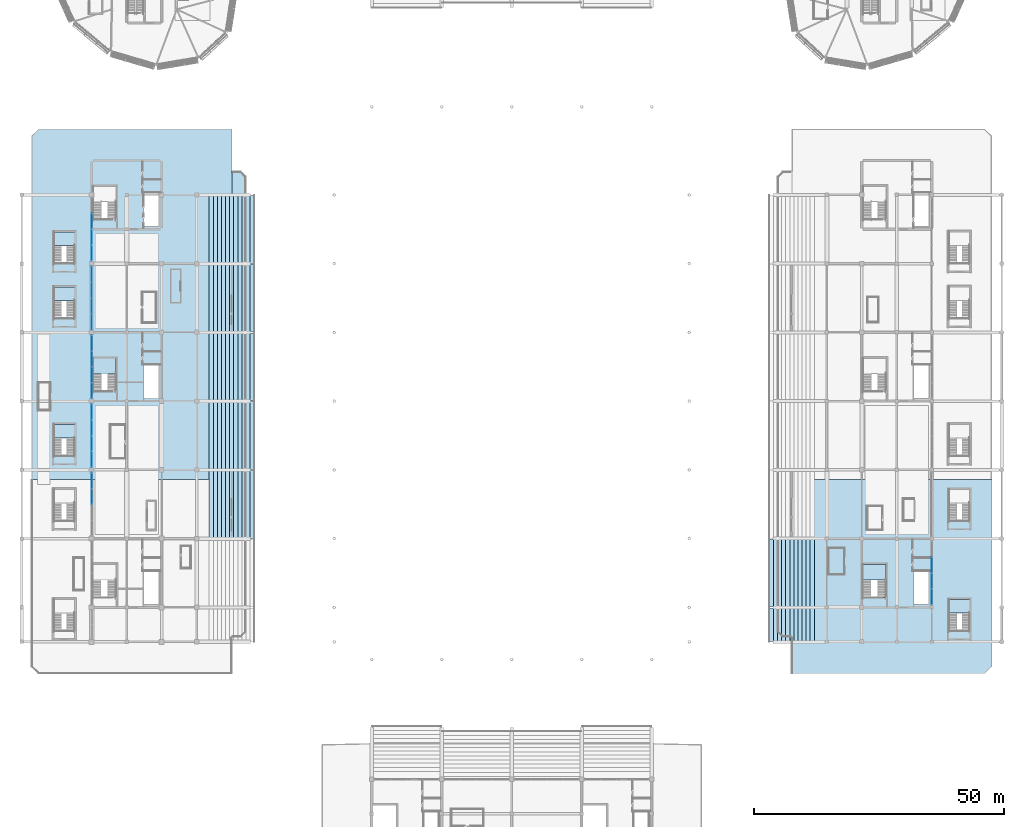
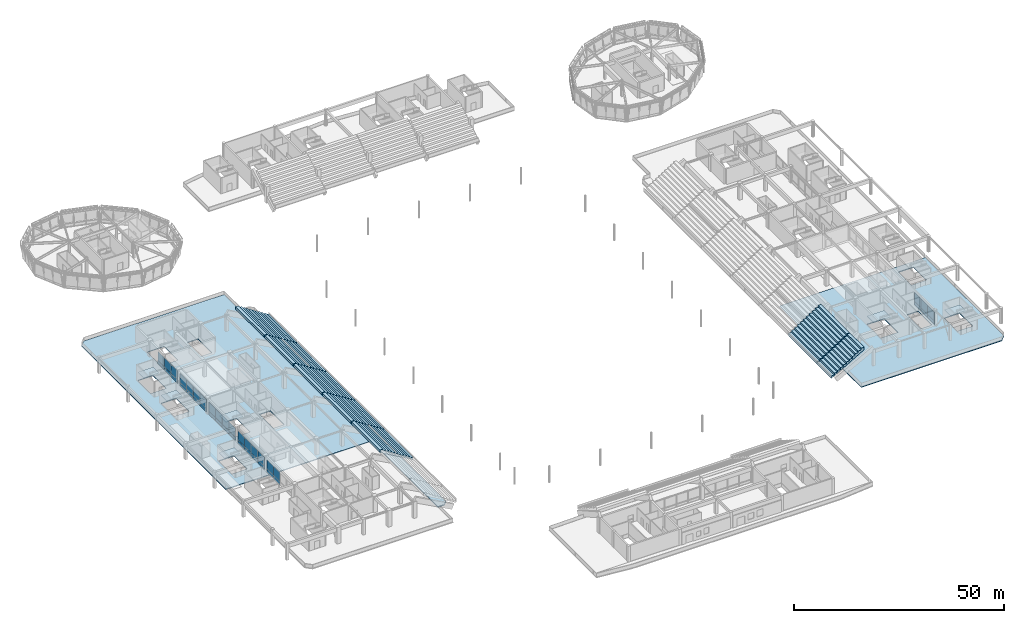
# One storey, part 60 of 94: 40 plates, 16 slabs, 12 elements without a shape of their own.
"""IFC4 building model written with IfcOpenShell, lengths in metres."""

from ifc_helpers import new_model, si_unit, direction, frame, origin, origin_2d, place, context, subcontext, project, spatial, polyline, rectangle, outline, extrude, material, layer, layer_set, type_object, element, aggregate, save


model = new_model("IFC4")

# Units and contexts
model_context = context("Model", 3, precision=1e-05, world=origin(), true_north=direction((0.0, 1.0)))
body_context = subcontext(model_context, "Body", "Model", "MODEL_VIEW")
ifc_project = project(units=[si_unit("LENGTHUNIT", "METRE"), si_unit("AREAUNIT", "SQUARE_METRE"), si_unit("VOLUMEUNIT", "CUBIC_METRE"), si_unit("PLANEANGLEUNIT", "RADIAN"), si_unit("MASSUNIT", "GRAM", prefix="KILO")], contexts=[model_context])

# Site, building, storey
site_placement = place(None, origin())
site = spatial("IfcSite", under=ifc_project, at=site_placement, CompositionType="ELEMENT")
building_placement = place(site_placement, origin())
building = spatial("IfcBuilding", under=site, at=building_placement, Name="Linyun Crest Stadium", CompositionType="ELEMENT")
storey_placement = place(building_placement, frame((0.0, 0.0, 16.199951171875)))
storey = spatial("IfcBuildingStorey", under=building, at=storey_placement, Name="L04", CompositionType="ELEMENT", Elevation=16.199951171875)

# Slabs
ifc_material_1 = material(Name="Concrete C40", Category="concrete")
ifc_layer_1 = layer(ifc_material_1, 0.219970703125)
ifc_layer_set_1 = layer_set([ifc_layer_1], Name="Concrete C40")
slab_type_1 = type_object("IfcSlabType", Name="FS03", PredefinedType="FLOOR", material=ifc_layer_set_1)
slab_1_placement = place(storey_placement, frame((0.0, 0.0, -0.219970703125)))
element("IfcSlab", 1, at=slab_1_placement, inside=storey, type_object=slab_type_1, Name="Slab FS03 V1 L04 9", PredefinedType="FLOOR", context=body_context, shape_type="SweptSolid", body=[
    extrude(outline(polyline([(-96.0, -13.489990234375), (-56.0, -13.489990234375), (-56.0, 56.5849609375), (-94.60009765625, 56.5849609375), (-96.0, 55.18505859375), (-96.0, -13.489990234375)]), holes=[polyline([(-83.800048828125, 4.14501953125), (-83.800048828125, 10.72509765625), (-79.10009765625, 10.72509765625), (-79.10009765625, 4.14501953125), (-83.800048828125, 4.14501953125)]), polyline([(-73.60009765625, 2.77490234375), (-73.60009765625, 9.375), (-70.60009765625, 9.375), (-70.60009765625, 2.77490234375), (-73.60009765625, 2.77490234375)]), polyline([(-83.77490234375, 38.52001953125), (-83.77490234375, 45.10009765625), (-79.10009765625, 45.10009765625), (-79.10009765625, 38.52001953125), (-83.77490234375, 38.52001953125)]), polyline([(-73.60009765625, 37.14990234375), (-73.60009765625, 43.75), (-70.60009765625, 43.75), (-70.60009765625, 37.14990234375), (-73.60009765625, 37.14990234375)]), polyline([(-91.60009765625, -8.75), (-91.60009765625, -2.5), (-87.39990234375, -2.5), (-87.39990234375, -8.75), (-91.60009765625, -8.75)]), polyline([(-91.60009765625, 18.75), (-91.60009765625, 25.0), (-87.39990234375, 25.0), (-87.39990234375, 18.75), (-91.60009765625, 18.75)]), polyline([(-91.60009765625, 29.75), (-91.60009765625, 36.0), (-87.39990234375, 36.0), (-87.39990234375, 29.75), (-91.60009765625, 29.75)])]), origin(), (0.0, 0.0, 1.0), 0.219970703125),
])
slab_2_placement = place(storey_placement, frame((0.0, 0.0, -0.219970703125)))
element("IfcSlab", 2, at=slab_2_placement, inside=storey, type_object=slab_type_1, Name="Slab FS03 V2 L04 24", PredefinedType="FLOOR", context=body_context, shape_type="SweptSolid", body=[
    extrude(outline(polyline([(56.0, -52.3349609375), (94.60009765625, -52.3349609375), (96.0, -50.93505859375), (96.0, -13.510009765625), (56.0, -13.510009765625), (56.0, -52.3349609375)]), holes=[polyline([(70.175048828125, -37.10498046875), (70.175048828125, -30.52490234375), (74.89990234375, -30.52490234375), (74.89990234375, -37.10498046875), (70.175048828125, -37.10498046875)]), polyline([(80.39990234375, -38.47509765625), (80.39990234375, -31.875), (83.39990234375, -31.875), (83.39990234375, -38.47509765625), (80.39990234375, -38.47509765625)]), polyline([(87.39990234375, -43.75), (87.39990234375, -37.5), (91.60009765625, -37.5), (91.60009765625, -43.75), (87.39990234375, -43.75)]), polyline([(87.39990234375, -21.75), (87.39990234375, -15.5), (91.60009765625, -15.5), (91.60009765625, -21.75), (87.39990234375, -21.75)])]), origin(), (0.0, 0.0, 1.0), 0.219970703125),
])

# Curtain wall, plates
ifc_material_2 = material(Name="Verdigris steel and low-E curtain wall assembly", Category="steel")
curtain_wall_type = type_object("IfcCurtainWallType", Name="MCW06", PredefinedType="NOTDEFINED", material=ifc_material_2)
curtain_wall_1_placement = place(storey_placement, origin())
curtain_wall_1 = element("IfcCurtainWall", 3, at=curtain_wall_1_placement, inside=storey, type_object=curtain_wall_type, Name="CWR-080", PredefinedType="NOTDEFINED")
ifc_material_3 = material(Name="Acoustic laminated low-E broadcast glass", Category="glass")
ifc_layer_2 = layer(ifc_material_3, 0.030029296875)
ifc_layer_set_2 = layer_set([ifc_layer_2], Name="Acoustic laminated low-E broadcast glass")
plate_type_1 = type_object("IfcPlateType", Name="GP02", PredefinedType="CURTAIN_PANEL", material=ifc_layer_set_2)
plate_1_placement = place(storey_placement, frame((84.0, -36.993896484375, 1.02490234375), z_axis=(0.0, 0.0, 1.0), x_axis=(0.0, 1.0, 0.0)))
plate_1 = element("IfcPlate", 4, at=plate_1_placement, type_object=plate_type_1, Name="CWR-080 panel 1.2", PredefinedType="CURTAIN_PANEL", context=body_context, shape_type="SweptSolid", body=[
    extrude(rectangle(XDim=3.112548828125, YDim=0.030029296875, at=origin_2d()), origin(), (0.0, 0.0, 1.0), 2.60009765625),
])
plate_2_placement = place(storey_placement, frame((84.0, -33.8310546875, 1.02490234375), z_axis=(0.0, 0.0, 1.0), x_axis=(0.0, 1.0, 0.0)))
plate_2 = element("IfcPlate", 5, at=plate_2_placement, type_object=plate_type_1, Name="CWR-080 panel 2.2", PredefinedType="CURTAIN_PANEL", context=body_context, shape_type="SweptSolid", body=[
    extrude(rectangle(XDim=3.112548828125, YDim=0.030029296875, at=origin_2d()), origin(), (0.0, 0.0, 1.0), 2.60009765625),
])
plate_3_placement = place(storey_placement, frame((84.0, -30.6689453125, 1.02490234375), z_axis=(0.0, 0.0, 1.0), x_axis=(0.0, 1.0, 0.0)))
plate_3 = element("IfcPlate", 6, at=plate_3_placement, type_object=plate_type_1, Name="CWR-080 panel 3.2", PredefinedType="CURTAIN_PANEL", context=body_context, shape_type="SweptSolid", body=[
    extrude(rectangle(XDim=3.112548828125, YDim=0.030029296875, at=origin_2d()), origin(), (0.0, 0.0, 1.0), 2.60009765625),
])

curtain_wall_2_placement = place(storey_placement, origin())
curtain_wall_2 = element("IfcCurtainWall", 7, at=curtain_wall_2_placement, inside=storey, type_object=curtain_wall_type, Name="CWR-084", PredefinedType="NOTDEFINED")
plate_4_placement = place(storey_placement, frame((-84.0, -16.9189453125, 1.02490234375), z_axis=(0.0, 0.0, 1.0), x_axis=(0.0, 1.0, 0.0)))
plate_4 = element("IfcPlate", 8, at=plate_4_placement, type_object=plate_type_1, Name="CWR-084 panel 3.2", PredefinedType="CURTAIN_PANEL", context=body_context, shape_type="SweptSolid", body=[
    extrude(rectangle(XDim=3.112548828125, YDim=0.030029296875, at=origin_2d()), origin(), (0.0, 0.0, 1.0), 2.60009765625),
])
plate_5_placement = place(storey_placement, frame((-84.0, -13.756103515625, 1.02490234375), z_axis=(0.0, 0.0, 1.0), x_axis=(0.0, 1.0, 0.0)))
plate_5 = element("IfcPlate", 9, at=plate_5_placement, type_object=plate_type_1, Name="CWR-084 panel 4.2", PredefinedType="CURTAIN_PANEL", context=body_context, shape_type="SweptSolid", body=[
    extrude(rectangle(XDim=3.112548828125, YDim=0.030029296875, at=origin_2d()), origin(), (0.0, 0.0, 1.0), 2.60009765625),
])

curtain_wall_3_placement = place(storey_placement, origin())
curtain_wall_3 = element("IfcCurtainWall", 10, at=curtain_wall_3_placement, inside=storey, type_object=curtain_wall_type, Name="CWR-093", PredefinedType="NOTDEFINED")
plate_6_placement = place(storey_placement, frame((-84.0, -9.493896484375, 1.02490234375), z_axis=(0.0, 0.0, 1.0), x_axis=(0.0, 1.0, 0.0)))
plate_6 = element("IfcPlate", 11, at=plate_6_placement, type_object=plate_type_1, Name="CWR-093 panel 1.2", PredefinedType="CURTAIN_PANEL", context=body_context, shape_type="SweptSolid", body=[
    extrude(rectangle(XDim=3.112548828125, YDim=0.030029296875, at=origin_2d()), origin(), (0.0, 0.0, 1.0), 2.60009765625),
])
plate_7_placement = place(storey_placement, frame((-84.0, -6.3310546875, 1.02490234375), z_axis=(0.0, 0.0, 1.0), x_axis=(0.0, 1.0, 0.0)))
plate_7 = element("IfcPlate", 12, at=plate_7_placement, type_object=plate_type_1, Name="CWR-093 panel 2.2", PredefinedType="CURTAIN_PANEL", context=body_context, shape_type="SweptSolid", body=[
    extrude(rectangle(XDim=3.112548828125, YDim=0.030029296875, at=origin_2d()), origin(), (0.0, 0.0, 1.0), 2.60009765625),
])
plate_8_placement = place(storey_placement, frame((-84.0, -3.1689453125, 1.02490234375), z_axis=(0.0, 0.0, 1.0), x_axis=(0.0, 1.0, 0.0)))
plate_8 = element("IfcPlate", 13, at=plate_8_placement, type_object=plate_type_1, Name="CWR-093 panel 3.2", PredefinedType="CURTAIN_PANEL", context=body_context, shape_type="SweptSolid", body=[
    extrude(rectangle(XDim=3.112548828125, YDim=0.030029296875, at=origin_2d()), origin(), (0.0, 0.0, 1.0), 2.60009765625),
])
plate_9_placement = place(storey_placement, frame((-84.0, -0.006103515625, 1.02490234375), z_axis=(0.0, 0.0, 1.0), x_axis=(0.0, 1.0, 0.0)))
plate_9 = element("IfcPlate", 14, at=plate_9_placement, type_object=plate_type_1, Name="CWR-093 panel 4.2", PredefinedType="CURTAIN_PANEL", context=body_context, shape_type="SweptSolid", body=[
    extrude(rectangle(XDim=3.112548828125, YDim=0.030029296875, at=origin_2d()), origin(), (0.0, 0.0, 1.0), 2.60009765625),
])

curtain_wall_4_placement = place(storey_placement, origin())
curtain_wall_4 = element("IfcCurtainWall", 15, at=curtain_wall_4_placement, inside=storey, type_object=curtain_wall_type, Name="CWR-102", PredefinedType="NOTDEFINED")
plate_10_placement = place(storey_placement, frame((-84.0, 4.256103515625, 1.02490234375), z_axis=(0.0, 0.0, 1.0), x_axis=(0.0, 1.0, 0.0)))
plate_10 = element("IfcPlate", 16, at=plate_10_placement, type_object=plate_type_1, Name="CWR-102 panel 1.2", PredefinedType="CURTAIN_PANEL", context=body_context, shape_type="SweptSolid", body=[
    extrude(rectangle(XDim=3.112548828125, YDim=0.030029296875, at=origin_2d()), origin(), (0.0, 0.0, 1.0), 2.60009765625),
])
plate_11_placement = place(storey_placement, frame((-84.0, 7.4189453125, 1.02490234375), z_axis=(0.0, 0.0, 1.0), x_axis=(0.0, 1.0, 0.0)))
plate_11 = element("IfcPlate", 17, at=plate_11_placement, type_object=plate_type_1, Name="CWR-102 panel 2.2", PredefinedType="CURTAIN_PANEL", context=body_context, shape_type="SweptSolid", body=[
    extrude(rectangle(XDim=3.112548828125, YDim=0.030029296875, at=origin_2d()), origin(), (0.0, 0.0, 1.0), 2.60009765625),
])
plate_12_placement = place(storey_placement, frame((-84.0, 10.5810546875, 1.02490234375), z_axis=(0.0, 0.0, 1.0), x_axis=(0.0, 1.0, 0.0)))
plate_12 = element("IfcPlate", 18, at=plate_12_placement, type_object=plate_type_1, Name="CWR-102 panel 3.2", PredefinedType="CURTAIN_PANEL", context=body_context, shape_type="SweptSolid", body=[
    extrude(rectangle(XDim=3.112548828125, YDim=0.030029296875, at=origin_2d()), origin(), (0.0, 0.0, 1.0), 2.60009765625),
])
plate_13_placement = place(storey_placement, frame((-84.0, 13.743896484375, 1.02490234375), z_axis=(0.0, 0.0, 1.0), x_axis=(0.0, 1.0, 0.0)))
plate_13 = element("IfcPlate", 19, at=plate_13_placement, type_object=plate_type_1, Name="CWR-102 panel 4.2", PredefinedType="CURTAIN_PANEL", context=body_context, shape_type="SweptSolid", body=[
    extrude(rectangle(XDim=3.112548828125, YDim=0.030029296875, at=origin_2d()), origin(), (0.0, 0.0, 1.0), 2.60009765625),
])

curtain_wall_5_placement = place(storey_placement, origin())
curtain_wall_5 = element("IfcCurtainWall", 20, at=curtain_wall_5_placement, inside=storey, type_object=curtain_wall_type, Name="CWR-111", PredefinedType="NOTDEFINED")
plate_14_placement = place(storey_placement, frame((-84.0, 18.006103515625, 1.02490234375), z_axis=(0.0, 0.0, 1.0), x_axis=(0.0, 1.0, 0.0)))
plate_14 = element("IfcPlate", 21, at=plate_14_placement, type_object=plate_type_1, Name="CWR-111 panel 1.2", PredefinedType="CURTAIN_PANEL", context=body_context, shape_type="SweptSolid", body=[
    extrude(rectangle(XDim=3.112548828125, YDim=0.030029296875, at=origin_2d()), origin(), (0.0, 0.0, 1.0), 2.60009765625),
])
plate_15_placement = place(storey_placement, frame((-84.0, 21.1689453125, 1.02490234375), z_axis=(0.0, 0.0, 1.0), x_axis=(0.0, 1.0, 0.0)))
plate_15 = element("IfcPlate", 22, at=plate_15_placement, type_object=plate_type_1, Name="CWR-111 panel 2.2", PredefinedType="CURTAIN_PANEL", context=body_context, shape_type="SweptSolid", body=[
    extrude(rectangle(XDim=3.112548828125, YDim=0.030029296875, at=origin_2d()), origin(), (0.0, 0.0, 1.0), 2.60009765625),
])
plate_16_placement = place(storey_placement, frame((-84.0, 24.3310546875, 1.02490234375), z_axis=(0.0, 0.0, 1.0), x_axis=(0.0, 1.0, 0.0)))
plate_16 = element("IfcPlate", 23, at=plate_16_placement, type_object=plate_type_1, Name="CWR-111 panel 3.2", PredefinedType="CURTAIN_PANEL", context=body_context, shape_type="SweptSolid", body=[
    extrude(rectangle(XDim=3.112548828125, YDim=0.030029296875, at=origin_2d()), origin(), (0.0, 0.0, 1.0), 2.60009765625),
])
plate_17_placement = place(storey_placement, frame((-84.0, 27.493896484375, 1.02490234375), z_axis=(0.0, 0.0, 1.0), x_axis=(0.0, 1.0, 0.0)))
plate_17 = element("IfcPlate", 24, at=plate_17_placement, type_object=plate_type_1, Name="CWR-111 panel 4.2", PredefinedType="CURTAIN_PANEL", context=body_context, shape_type="SweptSolid", body=[
    extrude(rectangle(XDim=3.112548828125, YDim=0.030029296875, at=origin_2d()), origin(), (0.0, 0.0, 1.0), 2.60009765625),
])

curtain_wall_6_placement = place(storey_placement, origin())
curtain_wall_6 = element("IfcCurtainWall", 25, at=curtain_wall_6_placement, inside=storey, type_object=curtain_wall_type, Name="CWR-120", PredefinedType="NOTDEFINED")
plate_18_placement = place(storey_placement, frame((-84.0, 31.756103515625, 1.02490234375), z_axis=(0.0, 0.0, 1.0), x_axis=(0.0, 1.0, 0.0)))
plate_18 = element("IfcPlate", 26, at=plate_18_placement, type_object=plate_type_1, Name="CWR-120 panel 1.2", PredefinedType="CURTAIN_PANEL", context=body_context, shape_type="SweptSolid", body=[
    extrude(rectangle(XDim=3.112548828125, YDim=0.030029296875, at=origin_2d()), origin(), (0.0, 0.0, 1.0), 2.60009765625),
])
plate_19_placement = place(storey_placement, frame((-84.0, 34.9189453125, 1.02490234375), z_axis=(0.0, 0.0, 1.0), x_axis=(0.0, 1.0, 0.0)))
plate_19 = element("IfcPlate", 27, at=plate_19_placement, type_object=plate_type_1, Name="CWR-120 panel 2.2", PredefinedType="CURTAIN_PANEL", context=body_context, shape_type="SweptSolid", body=[
    extrude(rectangle(XDim=3.112548828125, YDim=0.030029296875, at=origin_2d()), origin(), (0.0, 0.0, 1.0), 2.60009765625),
])
plate_20_placement = place(storey_placement, frame((-84.0, 38.0810546875, 1.02490234375), z_axis=(0.0, 0.0, 1.0), x_axis=(0.0, 1.0, 0.0)))
plate_20 = element("IfcPlate", 28, at=plate_20_placement, type_object=plate_type_1, Name="CWR-120 panel 3.2", PredefinedType="CURTAIN_PANEL", context=body_context, shape_type="SweptSolid", body=[
    extrude(rectangle(XDim=3.112548828125, YDim=0.030029296875, at=origin_2d()), origin(), (0.0, 0.0, 1.0), 2.60009765625),
])

# Stair, slab
ifc_material_4 = material(Name="Concrete C40", Category="concrete")
stair_type = type_object("IfcStairType", Name="STA03", PredefinedType="HALF_TURN_STAIR", material=ifc_material_4)
stair_1_placement = place(storey_placement, origin())
stair_1 = element("IfcStair", 29, at=stair_1_placement, inside=storey, type_object=stair_type, Name="Evacuation stair STR-02-L04", PredefinedType="HALF_TURN_STAIR")
ifc_material_5 = material(Name="Concrete C40", Category="concrete")
ifc_layer_3 = layer(ifc_material_5, 0.179931640625)
ifc_layer_set_3 = layer_set([ifc_layer_3], Name="Concrete C40")
slab_type_2 = type_object("IfcSlabType", Name="LS01", PredefinedType="LANDING", material=ifc_layer_set_3)
slab_3_placement = place(storey_placement, frame((0.0, 0.0, 2.219970703125)))
slab_3 = element("IfcSlab", 30, at=slab_3_placement, type_object=slab_type_2, Name="STR-02-L04 half-landing", PredefinedType="LANDING", context=body_context, shape_type="SweptSolid", body=[
    extrude(outline(polyline([(-83.800048828125, 7.614990234375), (-79.10009765625, 7.614990234375), (-79.10009765625, 10.72509765625), (-83.800048828125, 10.72509765625), (-83.800048828125, 7.614990234375)])), origin(), (0.0, 0.0, 1.0), 0.18017578125),
])
aggregate(stair_1, [slab_3])

stair_2_placement = place(storey_placement, origin())
stair_2 = element("IfcStair", 31, at=stair_2_placement, inside=storey, type_object=stair_type, Name="Evacuation stair STR-04-L04", PredefinedType="HALF_TURN_STAIR")
slab_4_placement = place(storey_placement, frame((0.0, 0.0, 2.219970703125)))
slab_4 = element("IfcSlab", 32, at=slab_4_placement, type_object=slab_type_2, Name="STR-04-L04 half-landing", PredefinedType="LANDING", context=body_context, shape_type="SweptSolid", body=[
    extrude(outline(polyline([(70.175048828125, -33.635009765625), (74.89990234375, -33.635009765625), (74.89990234375, -30.52490234375), (70.175048828125, -30.52490234375), (70.175048828125, -33.635009765625)])), origin(), (0.0, 0.0, 1.0), 0.18017578125),
])
aggregate(stair_2, [slab_4])

stair_3_placement = place(storey_placement, origin())
stair_3 = element("IfcStair", 33, at=stair_3_placement, inside=storey, type_object=stair_type, Name="Vomitory evacuation stair STR-15-L04", PredefinedType="HALF_TURN_STAIR")
slab_5_placement = place(storey_placement, frame((0.0, 0.0, 2.219970703125)))
slab_5 = element("IfcSlab", 34, at=slab_5_placement, type_object=slab_type_2, Name="STR-15-L04 half-landing", PredefinedType="LANDING", context=body_context, shape_type="SweptSolid", body=[
    extrude(outline(polyline([(-91.60009765625, -5.280029296875), (-87.39990234375, -5.280029296875), (-87.39990234375, -2.5), (-91.60009765625, -2.5), (-91.60009765625, -5.280029296875)])), origin(), (0.0, 0.0, 1.0), 0.18017578125),
])
aggregate(stair_3, [slab_5])

stair_4_placement = place(storey_placement, origin())
stair_4 = element("IfcStair", 35, at=stair_4_placement, inside=storey, type_object=stair_type, Name="Vomitory evacuation stair STR-16-L04", PredefinedType="HALF_TURN_STAIR")
slab_6_placement = place(storey_placement, frame((0.0, 0.0, 2.219970703125)))
slab_6 = element("IfcSlab", 36, at=slab_6_placement, type_object=slab_type_2, Name="STR-16-L04 half-landing", PredefinedType="LANDING", context=body_context, shape_type="SweptSolid", body=[
    extrude(outline(polyline([(-91.60009765625, 22.219970703125), (-87.39990234375, 22.219970703125), (-87.39990234375, 25.0), (-91.60009765625, 25.0), (-91.60009765625, 22.219970703125)])), origin(), (0.0, 0.0, 1.0), 0.18017578125),
])
aggregate(stair_4, [slab_6])

stair_5_placement = place(storey_placement, origin())
stair_5 = element("IfcStair", 37, at=stair_5_placement, inside=storey, type_object=stair_type, Name="Vomitory evacuation stair STR-17-L04", PredefinedType="HALF_TURN_STAIR")
slab_7_placement = place(storey_placement, frame((0.0, 0.0, 2.219970703125)))
slab_7 = element("IfcSlab", 38, at=slab_7_placement, type_object=slab_type_2, Name="STR-17-L04 half-landing", PredefinedType="LANDING", context=body_context, shape_type="SweptSolid", body=[
    extrude(outline(polyline([(-91.60009765625, 33.219970703125), (-87.39990234375, 33.219970703125), (-87.39990234375, 36.0), (-91.60009765625, 36.0), (-91.60009765625, 33.219970703125)])), origin(), (0.0, 0.0, 1.0), 0.18017578125),
])
aggregate(stair_5, [slab_7])

stair_6_placement = place(storey_placement, origin())
stair_6 = element("IfcStair", 39, at=stair_6_placement, inside=storey, type_object=stair_type, Name="Vomitory evacuation stair STR-18-L04", PredefinedType="HALF_TURN_STAIR")
slab_8_placement = place(storey_placement, frame((0.0, 0.0, 2.219970703125)))
slab_8 = element("IfcSlab", 40, at=slab_8_placement, type_object=slab_type_2, Name="STR-18-L04 half-landing", PredefinedType="LANDING", context=body_context, shape_type="SweptSolid", body=[
    extrude(outline(polyline([(87.39990234375, -40.280029296875), (91.60009765625, -40.280029296875), (91.60009765625, -37.5), (87.39990234375, -37.5), (87.39990234375, -40.280029296875)])), origin(), (0.0, 0.0, 1.0), 0.18017578125),
])
aggregate(stair_6, [slab_8])

# Plate
ifc_material_6 = material(Name="Warm ochre glazed ceramic faience spandrel")
ifc_layer_4 = layer(ifc_material_6, 0.048095703125)
ifc_layer_set_4 = layer_set([ifc_layer_4], Name="Warm ochre glazed ceramic faience spandrel")
plate_type_2 = type_object("IfcPlateType", Name="SP02", PredefinedType="SHEET", material=ifc_layer_set_4)
plate_21_placement = place(storey_placement, frame((84.0, -36.993896484375, 0.02490234375), z_axis=(0.0, 0.0, 1.0), x_axis=(0.0, 1.0, 0.0)))
plate_21 = element("IfcPlate", 41, at=plate_21_placement, type_object=plate_type_2, Name="CWR-080 panel 1.1", PredefinedType="SHEET", context=body_context, shape_type="SweptSolid", body=[
    extrude(rectangle(XDim=3.112548828125, YDim=0.048095703125, at=origin_2d()), origin(), (0.0, 0.0, 1.0), 0.949951171875),
])

plate_22_placement = place(storey_placement, frame((84.0, -33.8310546875, 0.02490234375), z_axis=(0.0, 0.0, 1.0), x_axis=(0.0, 1.0, 0.0)))
plate_22 = element("IfcPlate", 42, at=plate_22_placement, type_object=plate_type_2, Name="CWR-080 panel 2.1", PredefinedType="SHEET", context=body_context, shape_type="SweptSolid", body=[
    extrude(rectangle(XDim=3.112548828125, YDim=0.048095703125, at=origin_2d()), origin(), (0.0, 0.0, 1.0), 0.949951171875),
])

plate_23_placement = place(storey_placement, frame((84.0, -30.6689453125, 0.02490234375), z_axis=(0.0, 0.0, 1.0), x_axis=(0.0, 1.0, 0.0)))
plate_23 = element("IfcPlate", 43, at=plate_23_placement, type_object=plate_type_2, Name="CWR-080 panel 3.1", PredefinedType="SHEET", context=body_context, shape_type="SweptSolid", body=[
    extrude(rectangle(XDim=3.112548828125, YDim=0.048095703125, at=origin_2d()), origin(), (0.0, 0.0, 1.0), 0.949951171875),
])

aggregate(curtain_wall_1, [plate_21, plate_1, plate_22, plate_2, plate_23, plate_3])

plate_24_placement = place(storey_placement, frame((-84.0, -16.9189453125, 0.02490234375), z_axis=(0.0, 0.0, 1.0), x_axis=(0.0, 1.0, 0.0)))
plate_24 = element("IfcPlate", 44, at=plate_24_placement, type_object=plate_type_2, Name="CWR-084 panel 3.1", PredefinedType="SHEET", context=body_context, shape_type="SweptSolid", body=[
    extrude(rectangle(XDim=3.112548828125, YDim=0.048095703125, at=origin_2d()), origin(), (0.0, 0.0, 1.0), 0.949951171875),
])

plate_25_placement = place(storey_placement, frame((-84.0, -13.756103515625, 0.02490234375), z_axis=(0.0, 0.0, 1.0), x_axis=(0.0, 1.0, 0.0)))
plate_25 = element("IfcPlate", 45, at=plate_25_placement, type_object=plate_type_2, Name="CWR-084 panel 4.1", PredefinedType="SHEET", context=body_context, shape_type="SweptSolid", body=[
    extrude(rectangle(XDim=3.112548828125, YDim=0.048095703125, at=origin_2d()), origin(), (0.0, 0.0, 1.0), 0.949951171875),
])

aggregate(curtain_wall_2, [plate_24, plate_4, plate_25, plate_5])

plate_26_placement = place(storey_placement, frame((-84.0, -9.493896484375, 0.02490234375), z_axis=(0.0, 0.0, 1.0), x_axis=(0.0, 1.0, 0.0)))
plate_26 = element("IfcPlate", 46, at=plate_26_placement, type_object=plate_type_2, Name="CWR-093 panel 1.1", PredefinedType="SHEET", context=body_context, shape_type="SweptSolid", body=[
    extrude(rectangle(XDim=3.112548828125, YDim=0.048095703125, at=origin_2d()), origin(), (0.0, 0.0, 1.0), 0.949951171875),
])

plate_27_placement = place(storey_placement, frame((-84.0, -6.3310546875, 0.02490234375), z_axis=(0.0, 0.0, 1.0), x_axis=(0.0, 1.0, 0.0)))
plate_27 = element("IfcPlate", 47, at=plate_27_placement, type_object=plate_type_2, Name="CWR-093 panel 2.1", PredefinedType="SHEET", context=body_context, shape_type="SweptSolid", body=[
    extrude(rectangle(XDim=3.112548828125, YDim=0.048095703125, at=origin_2d()), origin(), (0.0, 0.0, 1.0), 0.949951171875),
])

plate_28_placement = place(storey_placement, frame((-84.0, -3.1689453125, 0.02490234375), z_axis=(0.0, 0.0, 1.0), x_axis=(0.0, 1.0, 0.0)))
plate_28 = element("IfcPlate", 48, at=plate_28_placement, type_object=plate_type_2, Name="CWR-093 panel 3.1", PredefinedType="SHEET", context=body_context, shape_type="SweptSolid", body=[
    extrude(rectangle(XDim=3.112548828125, YDim=0.048095703125, at=origin_2d()), origin(), (0.0, 0.0, 1.0), 0.949951171875),
])

plate_29_placement = place(storey_placement, frame((-84.0, -0.006103515625, 0.02490234375), z_axis=(0.0, 0.0, 1.0), x_axis=(0.0, 1.0, 0.0)))
plate_29 = element("IfcPlate", 49, at=plate_29_placement, type_object=plate_type_2, Name="CWR-093 panel 4.1", PredefinedType="SHEET", context=body_context, shape_type="SweptSolid", body=[
    extrude(rectangle(XDim=3.112548828125, YDim=0.048095703125, at=origin_2d()), origin(), (0.0, 0.0, 1.0), 0.949951171875),
])

aggregate(curtain_wall_3, [plate_26, plate_6, plate_27, plate_7, plate_28, plate_8, plate_29, plate_9])

plate_30_placement = place(storey_placement, frame((-84.0, 4.256103515625, 0.02490234375), z_axis=(0.0, 0.0, 1.0), x_axis=(0.0, 1.0, 0.0)))
plate_30 = element("IfcPlate", 50, at=plate_30_placement, type_object=plate_type_2, Name="CWR-102 panel 1.1", PredefinedType="SHEET", context=body_context, shape_type="SweptSolid", body=[
    extrude(rectangle(XDim=3.112548828125, YDim=0.048095703125, at=origin_2d()), origin(), (0.0, 0.0, 1.0), 0.949951171875),
])

plate_31_placement = place(storey_placement, frame((-84.0, 7.4189453125, 0.02490234375), z_axis=(0.0, 0.0, 1.0), x_axis=(0.0, 1.0, 0.0)))
plate_31 = element("IfcPlate", 51, at=plate_31_placement, type_object=plate_type_2, Name="CWR-102 panel 2.1", PredefinedType="SHEET", context=body_context, shape_type="SweptSolid", body=[
    extrude(rectangle(XDim=3.112548828125, YDim=0.048095703125, at=origin_2d()), origin(), (0.0, 0.0, 1.0), 0.949951171875),
])

plate_32_placement = place(storey_placement, frame((-84.0, 10.5810546875, 0.02490234375), z_axis=(0.0, 0.0, 1.0), x_axis=(0.0, 1.0, 0.0)))
plate_32 = element("IfcPlate", 52, at=plate_32_placement, type_object=plate_type_2, Name="CWR-102 panel 3.1", PredefinedType="SHEET", context=body_context, shape_type="SweptSolid", body=[
    extrude(rectangle(XDim=3.112548828125, YDim=0.048095703125, at=origin_2d()), origin(), (0.0, 0.0, 1.0), 0.949951171875),
])

plate_33_placement = place(storey_placement, frame((-84.0, 13.743896484375, 0.02490234375), z_axis=(0.0, 0.0, 1.0), x_axis=(0.0, 1.0, 0.0)))
plate_33 = element("IfcPlate", 53, at=plate_33_placement, type_object=plate_type_2, Name="CWR-102 panel 4.1", PredefinedType="SHEET", context=body_context, shape_type="SweptSolid", body=[
    extrude(rectangle(XDim=3.112548828125, YDim=0.048095703125, at=origin_2d()), origin(), (0.0, 0.0, 1.0), 0.949951171875),
])

aggregate(curtain_wall_4, [plate_30, plate_10, plate_31, plate_11, plate_32, plate_12, plate_33, plate_13])

plate_34_placement = place(storey_placement, frame((-84.0, 18.006103515625, 0.02490234375), z_axis=(0.0, 0.0, 1.0), x_axis=(0.0, 1.0, 0.0)))
plate_34 = element("IfcPlate", 54, at=plate_34_placement, type_object=plate_type_2, Name="CWR-111 panel 1.1", PredefinedType="SHEET", context=body_context, shape_type="SweptSolid", body=[
    extrude(rectangle(XDim=3.112548828125, YDim=0.048095703125, at=origin_2d()), origin(), (0.0, 0.0, 1.0), 0.949951171875),
])

plate_35_placement = place(storey_placement, frame((-84.0, 21.1689453125, 0.02490234375), z_axis=(0.0, 0.0, 1.0), x_axis=(0.0, 1.0, 0.0)))
plate_35 = element("IfcPlate", 55, at=plate_35_placement, type_object=plate_type_2, Name="CWR-111 panel 2.1", PredefinedType="SHEET", context=body_context, shape_type="SweptSolid", body=[
    extrude(rectangle(XDim=3.112548828125, YDim=0.048095703125, at=origin_2d()), origin(), (0.0, 0.0, 1.0), 0.949951171875),
])

plate_36_placement = place(storey_placement, frame((-84.0, 24.3310546875, 0.02490234375), z_axis=(0.0, 0.0, 1.0), x_axis=(0.0, 1.0, 0.0)))
plate_36 = element("IfcPlate", 56, at=plate_36_placement, type_object=plate_type_2, Name="CWR-111 panel 3.1", PredefinedType="SHEET", context=body_context, shape_type="SweptSolid", body=[
    extrude(rectangle(XDim=3.112548828125, YDim=0.048095703125, at=origin_2d()), origin(), (0.0, 0.0, 1.0), 0.949951171875),
])

plate_37_placement = place(storey_placement, frame((-84.0, 27.493896484375, 0.02490234375), z_axis=(0.0, 0.0, 1.0), x_axis=(0.0, 1.0, 0.0)))
plate_37 = element("IfcPlate", 57, at=plate_37_placement, type_object=plate_type_2, Name="CWR-111 panel 4.1", PredefinedType="SHEET", context=body_context, shape_type="SweptSolid", body=[
    extrude(rectangle(XDim=3.112548828125, YDim=0.048095703125, at=origin_2d()), origin(), (0.0, 0.0, 1.0), 0.949951171875),
])

aggregate(curtain_wall_5, [plate_34, plate_14, plate_35, plate_15, plate_36, plate_16, plate_37, plate_17])

plate_38_placement = place(storey_placement, frame((-84.0, 31.756103515625, 0.02490234375), z_axis=(0.0, 0.0, 1.0), x_axis=(0.0, 1.0, 0.0)))
plate_38 = element("IfcPlate", 58, at=plate_38_placement, type_object=plate_type_2, Name="CWR-120 panel 1.1", PredefinedType="SHEET", context=body_context, shape_type="SweptSolid", body=[
    extrude(rectangle(XDim=3.112548828125, YDim=0.048095703125, at=origin_2d()), origin(), (0.0, 0.0, 1.0), 0.949951171875),
])

plate_39_placement = place(storey_placement, frame((-84.0, 34.9189453125, 0.02490234375), z_axis=(0.0, 0.0, 1.0), x_axis=(0.0, 1.0, 0.0)))
plate_39 = element("IfcPlate", 59, at=plate_39_placement, type_object=plate_type_2, Name="CWR-120 panel 2.1", PredefinedType="SHEET", context=body_context, shape_type="SweptSolid", body=[
    extrude(rectangle(XDim=3.112548828125, YDim=0.048095703125, at=origin_2d()), origin(), (0.0, 0.0, 1.0), 0.949951171875),
])

plate_40_placement = place(storey_placement, frame((-84.0, 38.0810546875, 0.02490234375), z_axis=(0.0, 0.0, 1.0), x_axis=(0.0, 1.0, 0.0)))
plate_40 = element("IfcPlate", 60, at=plate_40_placement, type_object=plate_type_2, Name="CWR-120 panel 3.1", PredefinedType="SHEET", context=body_context, shape_type="SweptSolid", body=[
    extrude(rectangle(XDim=3.112548828125, YDim=0.048095703125, at=origin_2d()), origin(), (0.0, 0.0, 1.0), 0.949951171875),
])

aggregate(curtain_wall_6, [plate_38, plate_18, plate_39, plate_19, plate_40, plate_20])

# Slabs
ifc_material_7 = material(Name="Precast concrete C50", Category="concrete")
ifc_layer_5 = layer(ifc_material_7, 0.199951171875)
ifc_layer_set_5 = layer_set([ifc_layer_5], Name="Precast concrete C50")
slab_type_3 = type_object("IfcSlabType", Name="ST04", PredefinedType="USERDEFINED", material=ifc_layer_set_5)
slab_9_placement = place(storey_placement, frame((51.5, -45.919921875, 0.35009765625), z_axis=(0.0, 0.0, 1.0), x_axis=(1.0, 0.0, 0.0)))
element("IfcSlab", 61, at=slab_9_placement, inside=storey, type_object=slab_type_3, Name="Precast seating tier ST04 V2 7", ObjectType="SEATING TIER", PredefinedType="USERDEFINED", context=body_context, shape_type="SweptSolid", body=[
    extrude(outline(polyline([(0.0, 0.0), (0.0, -0.52001953125), (0.820068359375, -0.52001953125), (0.820068359375, -1.0400390625), (1.639892578125, -1.0400390625), (1.639892578125, -1.56005859375), (2.4599609375, -1.56005859375), (2.4599609375, -2.080078125), (3.280029296875, -2.080078125), (3.280029296875, -2.60009765625), (4.10009765625, -2.60009765625), (4.10009765625, -3.1201171875), (4.919921875, -3.1201171875), (4.919921875, -3.639892578125), (5.739990234375, -3.639892578125), (5.739990234375, -4.159912109375), (6.56005859375, -4.159912109375), (6.56005859375, -4.679931640625), (7.3798828125, -4.679931640625), (7.3798828125, -5.199951171875), (8.199951171875, -5.199951171875), (8.199951171875, -5.719970703125), (9.02001953125, -5.719970703125), (9.02001953125, -5.0), (0.0, 0.199951171875), (0.0, 0.0)])), frame((0.0, 0.0, 0.0), z_axis=(0.0, 1.0, 0.0), x_axis=(1.0, 0.0, 0.0)), (0.0, 0.0, 1.0), 6.71484375),
])
slab_10_placement = place(storey_placement, frame((51.5, -39.044921875, 0.35009765625), z_axis=(0.0, 0.0, 1.0), x_axis=(1.0, 0.0, 0.0)))
element("IfcSlab", 62, at=slab_10_placement, inside=storey, type_object=slab_type_3, Name="Precast seating tier ST04 V2 15", ObjectType="SEATING TIER", PredefinedType="USERDEFINED", context=body_context, shape_type="SweptSolid", body=[
    extrude(outline(polyline([(0.0, 0.0), (0.0, -0.52001953125), (0.820068359375, -0.52001953125), (0.820068359375, -1.0400390625), (1.639892578125, -1.0400390625), (1.639892578125, -1.56005859375), (2.4599609375, -1.56005859375), (2.4599609375, -2.080078125), (3.280029296875, -2.080078125), (3.280029296875, -2.60009765625), (4.10009765625, -2.60009765625), (4.10009765625, -3.1201171875), (4.919921875, -3.1201171875), (4.919921875, -3.639892578125), (5.739990234375, -3.639892578125), (5.739990234375, -4.159912109375), (6.56005859375, -4.159912109375), (6.56005859375, -4.679931640625), (7.3798828125, -4.679931640625), (7.3798828125, -5.199951171875), (8.199951171875, -5.199951171875), (8.199951171875, -5.719970703125), (9.02001953125, -5.719970703125), (9.02001953125, -5.0), (0.0, 0.199951171875), (0.0, 0.0)])), frame((0.0, 0.0, 0.0), z_axis=(0.0, 1.0, 0.0), x_axis=(1.0, 0.0, 0.0)), (0.0, 0.0, 1.0), 13.58984375),
])
for number, where, z_axis, x_axis, name in (
    (63, (-51.5, -25.294921875, 0.35009765625), (0.0, 0.0, 1.0), (-1.0, 0.0, 0.0), "Precast seating tier ST04 V1 19"),
    (64, (-51.5, -11.544921875, 0.35009765625), (0.0, 0.0, 1.0), (-1.0, 0.0, 0.0), "Precast seating tier ST04 V1 27"),
    (65, (-51.5, 2.205078125, 0.35009765625), (0.0, 0.0, 1.0), (-1.0, 0.0, 0.0), "Precast seating tier ST04 V1 35"),
    (66, (-51.5, 15.955078125, 0.35009765625), (0.0, 0.0, 1.0), (-1.0, 0.0, 0.0), "Precast seating tier ST04 V1 43"),
    (67, (-51.5, 29.705078125, 0.35009765625), (0.0, 0.0, 1.0), (-1.0, 0.0, 0.0), "Precast seating tier ST04 V1 51"),
):
    element("IfcSlab", number, at=place(storey_placement, frame(where, z_axis=z_axis, x_axis=x_axis)), inside=storey, type_object=slab_type_3, Name=name, ObjectType="SEATING TIER", PredefinedType="USERDEFINED", context=body_context, shape_type="SweptSolid", body=[
        extrude(outline(polyline([(0.0, 0.0), (0.0, 0.52001953125), (0.820068359375, 0.52001953125), (0.820068359375, 1.0400390625), (1.639892578125, 1.0400390625), (1.639892578125, 1.56005859375), (2.4599609375, 1.56005859375), (2.4599609375, 2.080078125), (3.280029296875, 2.080078125), (3.280029296875, 2.60009765625), (4.10009765625, 2.60009765625), (4.10009765625, 3.1201171875), (4.919921875, 3.1201171875), (4.919921875, 3.639892578125), (5.739990234375, 3.639892578125), (5.739990234375, 4.159912109375), (6.56005859375, 4.159912109375), (6.56005859375, 4.679931640625), (7.3798828125, 4.679931640625), (7.3798828125, 5.199951171875), (8.199951171875, 5.199951171875), (8.199951171875, 5.719970703125), (9.02001953125, 5.719970703125), (9.02001953125, 5.0), (0.0, -0.199951171875), (0.0, 0.0)])), frame((0.0, 0.0, 0.0), z_axis=(0.0, -1.0, 0.0), x_axis=(1.0, 0.0, 0.0)), (0.0, 0.0, 1.0), 13.58984375),
    ])
ifc_material_8 = material(Name="Concrete C40", Category="concrete")
ifc_layer_6 = layer(ifc_material_8, 0.260009765625)
ifc_layer_set_6 = layer_set([ifc_layer_6], Name="Concrete C40")
slab_type_4 = type_object("IfcSlabType", Name="TS02", PredefinedType="FLOOR", material=ifc_layer_set_6)
slab_11_placement = place(storey_placement, frame((0.0, 0.0, -0.260009765625)))
element("IfcSlab", 68, at=slab_11_placement, inside=storey, type_object=slab_type_4, Name="Slab TS02 V1 L04 14", PredefinedType="FLOOR", context=body_context, shape_type="SweptSolid", body=[
    extrude(outline(polyline([(-55.97998046875, -45.0), (-54.199951171875, -45.0), (-53.199951171875, -44.0), (-53.199951171875, 47.0), (-54.199951171875, 48.0), (-55.97998046875, 48.0), (-55.97998046875, -45.0)])), origin(), (0.0, 0.0, 1.0), 0.260009765625),
])

save(model, "model.ifc")
